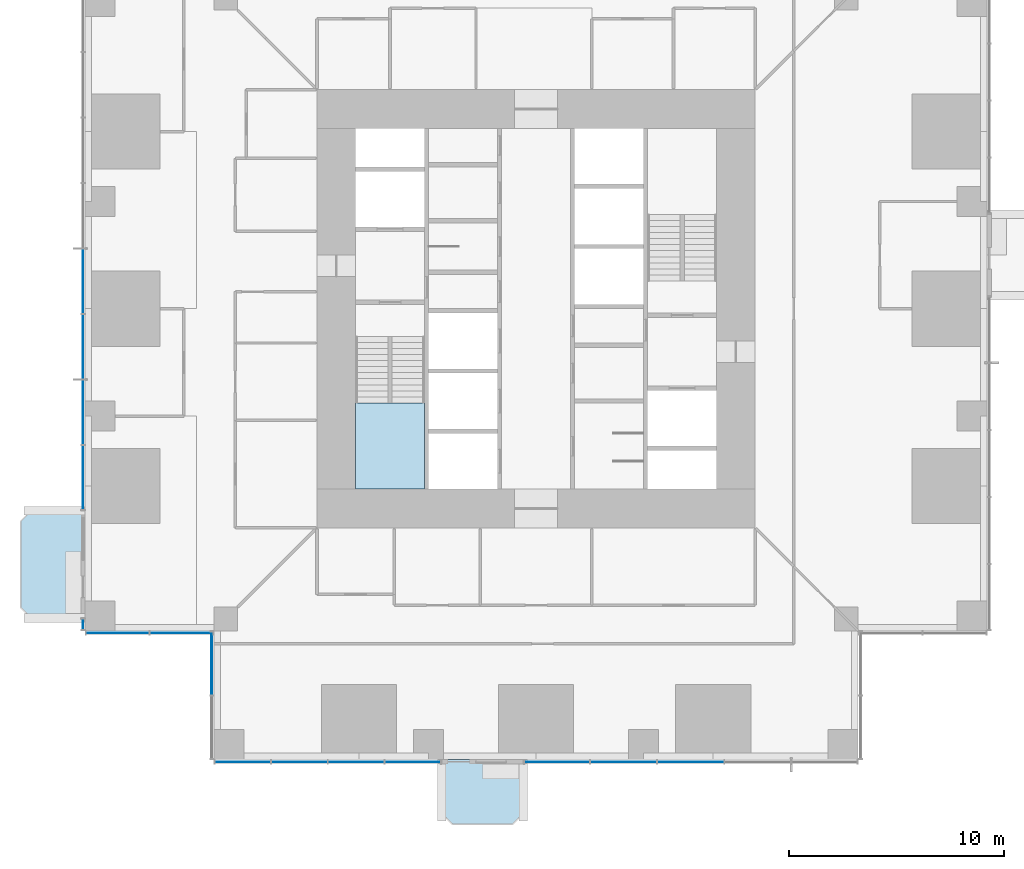
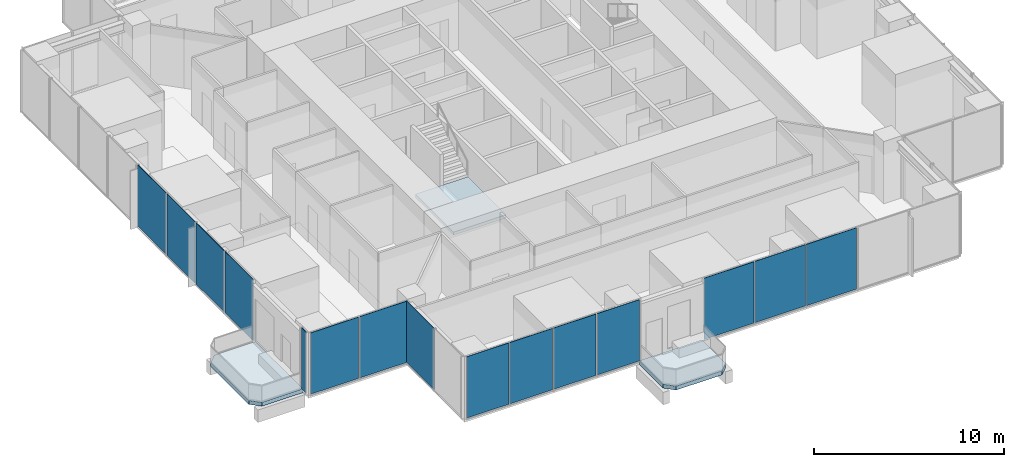
# One storey, part 8 of 17: 15 plates, 3 slabs, 7 elements without a shape of their own.
"""IFC4 building model written with IfcOpenShell, lengths in metres."""

from ifc_helpers import new_model, si_unit, direction, frame, origin, origin_2d, place, context, subcontext, project, spatial, polyline, rectangle, outline, extrude, material, layer, layer_set, type_object, element, aggregate, save


model = new_model("IFC4")

# Units and contexts
model_context = context("Model", 3, precision=1e-05, world=origin(), true_north=direction((0.0, 1.0)))
body_context = subcontext(model_context, "Body", "Model", "MODEL_VIEW")
ifc_project = project(units=[si_unit("LENGTHUNIT", "METRE"), si_unit("AREAUNIT", "SQUARE_METRE"), si_unit("VOLUMEUNIT", "CUBIC_METRE"), si_unit("PLANEANGLEUNIT", "RADIAN"), si_unit("MASSUNIT", "GRAM", prefix="KILO")], contexts=[model_context])

# Site, building, storey
site_placement = place(None, origin())
site = spatial("IfcSite", under=ifc_project, at=site_placement, CompositionType="ELEMENT")
building_placement = place(site_placement, origin())
building = spatial("IfcBuilding", under=site, at=building_placement, Name="Svetlomir Tower", CompositionType="ELEMENT")
storey_placement = place(building_placement, frame((0.0, 0.0, 30.5)))
storey = spatial("IfcBuildingStorey", under=building, at=storey_placement, Name="L06", CompositionType="ELEMENT", Elevation=30.5)

# Slabs
ifc_material_1 = material(Name="Concrete C60/75", Category="concrete")
ifc_layer_1 = layer(ifc_material_1, 0.25)
ifc_layer_set_1 = layer_set([ifc_layer_1], Name="Concrete C60/75")
slab_type_1 = type_object("IfcSlabType", Name="BALCONY SLAB 250", PredefinedType="FLOOR", material=ifc_layer_set_1)
slab_1_placement = place(storey_placement, frame((0.0, 0.0, -0.25)))
element("IfcSlab", 1, at=slab_1_placement, inside=storey, type_object=slab_type_1, Name="L06 S planted balcony", PredefinedType="FLOOR", context=body_context, shape_type="SweptSolid", body=[
    extrude(outline(polyline([(16.60009765625, -2.5), (17.10009765625, -3.0), (19.89990234375, -3.0), (20.39990234375, -2.5), (20.39990234375, 0.0), (16.60009765625, 0.0), (16.60009765625, -2.5)])), origin(), (0.0, 0.0, 1.0), 0.25),
])
slab_2_placement = place(storey_placement, frame((0.0, 0.0, -0.25)))
element("IfcSlab", 2, at=slab_2_placement, inside=storey, type_object=slab_type_1, Name="L06 W planted balcony", PredefinedType="FLOOR", context=body_context, shape_type="SweptSolid", body=[
    extrude(outline(polyline([(-2.5, 6.60009765625), (0.0, 6.60009765625), (0.0, 11.60009765625), (-2.5, 11.60009765625), (-3.0, 11.10009765625), (-3.0, 7.10009765625), (-2.5, 6.60009765625)])), origin(), (0.0, 0.0, 1.0), 0.25),
])

# Curtain wall, plates
ifc_material_2 = material(Name="Bronze anodised aluminium curtain wall", Category="aluminium")
curtain_wall_type = type_object("IfcCurtainWallType", Name="CURTAIN WALL CW1 TOWER OFFICE", PredefinedType="NOTDEFINED", material=ifc_material_2)
curtain_wall_1_placement = place(storey_placement, origin())
curtain_wall_1 = element("IfcCurtainWall", 3, at=curtain_wall_1_placement, inside=storey, type_object=curtain_wall_type, Name="Curtain wall CW1 L06", PredefinedType="NOTDEFINED")
ifc_material_3 = material(Name="Tinted double glazed unit", Category="glass")
ifc_layer_2 = layer(ifc_material_3, 0.031982421875)
ifc_layer_set_2 = layer_set([ifc_layer_2], Name="Tinted double glazed unit")
plate_type = type_object("IfcPlateType", Name="CW1 GLAZED PANEL 32", PredefinedType="CURTAIN_PANEL", material=ifc_layer_set_2)
plate_1_placement = place(storey_placement, frame((7.34130859375, -0.10009765625, 0.06494140625), z_axis=(0.0, 0.0, 1.0), x_axis=(1.0, 0.0, 0.0)))
plate_1 = element("IfcPlate", 4, at=plate_1_placement, type_object=plate_type, Name="CW1 panel 1.1", PredefinedType="CURTAIN_PANEL", context=body_context, shape_type="SweptSolid", body=[
    extrude(rectangle(XDim=2.552490234375, YDim=0.031982421875, at=origin_2d()), origin(), (0.0, 0.0, 1.0), 3.93505859375),
])
plate_2_placement = place(storey_placement, frame((9.97509765625, -0.10009765625, 0.06494140625), z_axis=(0.0, 0.0, 1.0), x_axis=(1.0, 0.0, 0.0)))
plate_2 = element("IfcPlate", 5, at=plate_2_placement, type_object=plate_type, Name="CW1 panel 2.1", PredefinedType="CURTAIN_PANEL", context=body_context, shape_type="SweptSolid", body=[
    extrude(rectangle(XDim=2.5849609375, YDim=0.031982421875, at=origin_2d()), origin(), (0.0, 0.0, 1.0), 3.93505859375),
])
plate_3_placement = place(storey_placement, frame((12.625, -0.10009765625, 0.06494140625), z_axis=(0.0, 0.0, 1.0), x_axis=(1.0, 0.0, 0.0)))
plate_3 = element("IfcPlate", 6, at=plate_3_placement, type_object=plate_type, Name="CW1 panel 3.1", PredefinedType="CURTAIN_PANEL", context=body_context, shape_type="SweptSolid", body=[
    extrude(rectangle(XDim=2.5849609375, YDim=0.031982421875, at=origin_2d()), origin(), (0.0, 0.0, 1.0), 3.93505859375),
])
plate_4_placement = place(storey_placement, frame((15.2587890625, -0.10009765625, 0.06494140625), z_axis=(0.0, 0.0, 1.0), x_axis=(1.0, 0.0, 0.0)))
plate_4 = element("IfcPlate", 7, at=plate_4_placement, type_object=plate_type, Name="CW1 panel 4.1", PredefinedType="CURTAIN_PANEL", context=body_context, shape_type="SweptSolid", body=[
    extrude(rectangle(XDim=2.552490234375, YDim=0.031982421875, at=origin_2d()), origin(), (0.0, 0.0, 1.0), 3.93505859375),
])
aggregate(curtain_wall_1, [plate_1, plate_2, plate_3, plate_4])

curtain_wall_2_placement = place(storey_placement, origin())
curtain_wall_2 = element("IfcCurtainWall", 8, at=curtain_wall_2_placement, inside=storey, type_object=curtain_wall_type, Name="Curtain wall CW1 L06", PredefinedType="NOTDEFINED")
plate_5_placement = place(storey_placement, frame((21.976318359375, -0.10009765625, 0.06494140625), z_axis=(0.0, 0.0, 1.0), x_axis=(1.0, 0.0, 0.0)))
plate_5 = element("IfcPlate", 9, at=plate_5_placement, type_object=plate_type, Name="CW1 panel 1.1", PredefinedType="CURTAIN_PANEL", context=body_context, shape_type="SweptSolid", body=[
    extrude(rectangle(XDim=3.0224609375, YDim=0.031982421875, at=origin_2d()), origin(), (0.0, 0.0, 1.0), 3.93505859375),
])
plate_6_placement = place(storey_placement, frame((25.080078125, -0.10009765625, 0.06494140625), z_axis=(0.0, 0.0, 1.0), x_axis=(1.0, 0.0, 0.0)))
plate_6 = element("IfcPlate", 10, at=plate_6_placement, type_object=plate_type, Name="CW1 panel 2.1", PredefinedType="CURTAIN_PANEL", context=body_context, shape_type="SweptSolid", body=[
    extrude(rectangle(XDim=3.054931640625, YDim=0.031982421875, at=origin_2d()), origin(), (0.0, 0.0, 1.0), 3.93505859375),
])
plate_7_placement = place(storey_placement, frame((28.199951171875, -0.10009765625, 0.06494140625), z_axis=(0.0, 0.0, 1.0), x_axis=(1.0, 0.0, 0.0)))
plate_7 = element("IfcPlate", 11, at=plate_7_placement, type_object=plate_type, Name="CW1 panel 3.1", PredefinedType="CURTAIN_PANEL", context=body_context, shape_type="SweptSolid", body=[
    extrude(rectangle(XDim=3.054931640625, YDim=0.031982421875, at=origin_2d()), origin(), (0.0, 0.0, 1.0), 3.93505859375),
])
aggregate(curtain_wall_2, [plate_5, plate_6, plate_7])

curtain_wall_3_placement = place(storey_placement, origin())
curtain_wall_3 = element("IfcCurtainWall", 12, at=curtain_wall_3_placement, inside=storey, type_object=curtain_wall_type, Name="Curtain wall CW1 L06", PredefinedType="NOTDEFINED")
plate_8_placement = place(storey_placement, frame((-0.10009765625, 22.27490234375, 0.06494140625), z_axis=(0.0, 0.0, 1.0), x_axis=(0.0, -1.0, 0.0)))
plate_8 = element("IfcPlate", 13, at=plate_8_placement, type_object=plate_type, Name="CW1 panel 5.1", PredefinedType="CURTAIN_PANEL", context=body_context, shape_type="SweptSolid", body=[
    extrude(rectangle(XDim=2.985107421875, YDim=0.031982421875, at=origin_2d()), origin(), (0.0, 0.0, 1.0), 3.93505859375),
])
plate_9_placement = place(storey_placement, frame((-0.10009765625, 19.22509765625, 0.06494140625), z_axis=(0.0, 0.0, 1.0), x_axis=(0.0, -1.0, 0.0)))
plate_9 = element("IfcPlate", 14, at=plate_9_placement, type_object=plate_type, Name="CW1 panel 6.1", PredefinedType="CURTAIN_PANEL", context=body_context, shape_type="SweptSolid", body=[
    extrude(rectangle(XDim=2.985107421875, YDim=0.031982421875, at=origin_2d()), origin(), (0.0, 0.0, 1.0), 3.93505859375),
])
plate_10_placement = place(storey_placement, frame((-0.10009765625, 16.175048828125, 0.06494140625), z_axis=(0.0, 0.0, 1.0), x_axis=(0.0, -1.0, 0.0)))
plate_10 = element("IfcPlate", 15, at=plate_10_placement, type_object=plate_type, Name="CW1 panel 7.1", PredefinedType="CURTAIN_PANEL", context=body_context, shape_type="SweptSolid", body=[
    extrude(rectangle(XDim=2.985107421875, YDim=0.031982421875, at=origin_2d()), origin(), (0.0, 0.0, 1.0), 3.93505859375),
])
plate_11_placement = place(storey_placement, frame((-0.10009765625, 13.141357421875, 0.06494140625), z_axis=(0.0, 0.0, 1.0), x_axis=(0.0, -1.0, 0.0)))
plate_11 = element("IfcPlate", 16, at=plate_11_placement, type_object=plate_type, Name="CW1 panel 8.1", PredefinedType="CURTAIN_PANEL", context=body_context, shape_type="SweptSolid", body=[
    extrude(rectangle(XDim=2.952392578125, YDim=0.031982421875, at=origin_2d()), origin(), (0.0, 0.0, 1.0), 3.93505859375),
])
aggregate(curtain_wall_3, [plate_8, plate_9, plate_10, plate_11])

# Curtain wall, plate
curtain_wall_4_placement = place(storey_placement, origin())
curtain_wall_4 = element("IfcCurtainWall", 17, at=curtain_wall_4_placement, inside=storey, type_object=curtain_wall_type, Name="Curtain wall CW1 L06", PredefinedType="NOTDEFINED")
plate_12_placement = place(storey_placement, frame((-0.10009765625, 6.300048828125, 0.06494140625), z_axis=(0.0, 0.0, 1.0), x_axis=(0.0, -1.0, 0.0)))
plate_12 = element("IfcPlate", 18, at=plate_12_placement, type_object=plate_type, Name="CW1 panel 1.1", PredefinedType="CURTAIN_PANEL", context=body_context, shape_type="SweptSolid", body=[
    extrude(rectangle(XDim=0.469970703125, YDim=0.031982421875, at=origin_2d()), origin(), (0.0, 0.0, 1.0), 3.93505859375),
])
aggregate(curtain_wall_4, [plate_12])

# Curtain wall, plates
curtain_wall_5_placement = place(storey_placement, origin())
curtain_wall_5 = element("IfcCurtainWall", 19, at=curtain_wall_5_placement, inside=storey, type_object=curtain_wall_type, Name="Curtain wall CW1 L06", PredefinedType="NOTDEFINED")
plate_13_placement = place(storey_placement, frame((1.516357421875, 5.89990234375, 0.06494140625), z_axis=(0.0, 0.0, 1.0), x_axis=(1.0, 0.0, 0.0)))
plate_13 = element("IfcPlate", 20, at=plate_13_placement, type_object=plate_type, Name="CW1 panel 1.1", PredefinedType="CURTAIN_PANEL", context=body_context, shape_type="SweptSolid", body=[
    extrude(rectangle(XDim=2.902587890625, YDim=0.031982421875, at=origin_2d()), origin(), (0.0, 0.0, 1.0), 3.93505859375),
])
plate_14_placement = place(storey_placement, frame((4.483642578125, 5.89990234375, 0.06494140625), z_axis=(0.0, 0.0, 1.0), x_axis=(1.0, 0.0, 0.0)))
plate_14 = element("IfcPlate", 21, at=plate_14_placement, type_object=plate_type, Name="CW1 panel 2.1", PredefinedType="CURTAIN_PANEL", context=body_context, shape_type="SweptSolid", body=[
    extrude(rectangle(XDim=2.902587890625, YDim=0.031982421875, at=origin_2d()), origin(), (0.0, 0.0, 1.0), 3.93505859375),
])
aggregate(curtain_wall_5, [plate_13, plate_14])

# Curtain wall, plate
curtain_wall_6_placement = place(storey_placement, origin())
curtain_wall_6 = element("IfcCurtainWall", 22, at=curtain_wall_6_placement, inside=storey, type_object=curtain_wall_type, Name="Curtain wall CW1 L06", PredefinedType="NOTDEFINED")
plate_15_placement = place(storey_placement, frame((5.89990234375, 4.483642578125, 0.06494140625), z_axis=(0.0, 0.0, 1.0), x_axis=(0.0, -1.0, 0.0)))
plate_15 = element("IfcPlate", 23, at=plate_15_placement, type_object=plate_type, Name="CW1 panel 1.1", PredefinedType="CURTAIN_PANEL", context=body_context, shape_type="SweptSolid", body=[
    extrude(rectangle(XDim=2.902587890625, YDim=0.031982421875, at=origin_2d()), origin(), (0.0, 0.0, 1.0), 3.93505859375),
])
aggregate(curtain_wall_6, [plate_15])

# Stair, slab
ifc_material_4 = material(Name="Concrete C60/75", Category="concrete")
stair_type = type_object("IfcStairType", Name="EXIT STAIR 3200 RISE 4000", PredefinedType="HALF_TURN_STAIR", material=ifc_material_4)
stair_placement = place(storey_placement, origin())
stair = element("IfcStair", 24, at=stair_placement, inside=storey, type_object=stair_type, Name="Stair S1 L06 to L07", PredefinedType="HALF_TURN_STAIR")
ifc_material_5 = material(Name="Concrete C60/75", Category="concrete")
ifc_layer_3 = layer(ifc_material_5, 0.199951171875)
ifc_layer_set_3 = layer_set([ifc_layer_3], Name="Concrete C60/75")
slab_type_2 = type_object("IfcSlabType", Name="STAIR LANDING 200", PredefinedType="LANDING", material=ifc_layer_set_3)
slab_3_placement = place(storey_placement, frame((0.0, 0.0, 1.800048828125)))
slab_3 = element("IfcSlab", 25, at=slab_3_placement, type_object=slab_type_2, Name="S1 landing 1", PredefinedType="LANDING", context=body_context, shape_type="SweptSolid", body=[
    extrude(outline(polyline([(12.60009765625, 12.60009765625), (15.800048828125, 12.60009765625), (15.800048828125, 16.6201171875), (12.60009765625, 16.6201171875), (12.60009765625, 12.60009765625)])), origin(), (0.0, 0.0, 1.0), 0.199951171875),
])
aggregate(stair, [slab_3])

save(model, "model.ifc")
